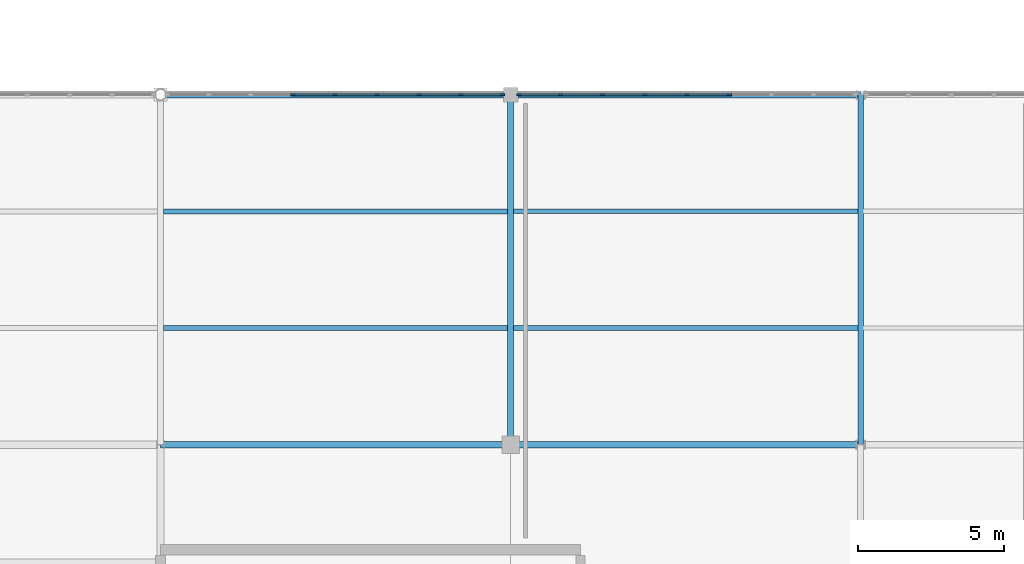
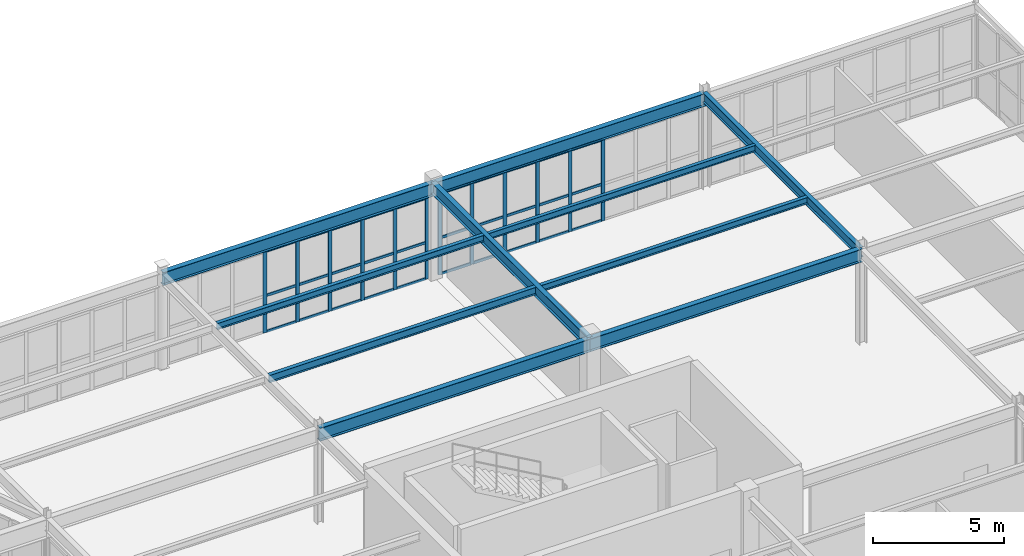
# One storey, part 95 of 186: 42 members, 10 beams, 2 elements without a shape of their own.
"""IFC4 building model written with IfcOpenShell, lengths in metres."""

from ifc_helpers import new_model, si_unit, direction, frame, origin, origin_2d, place, context, subcontext, project, spatial, rectangle, i_section, extrude, material, layer, layer_set, material_profile, profile_set, type_object, element, aggregate, save


model = new_model("IFC4")

# Units and contexts
model_context = context("Model", 3, precision=1e-05, world=origin(), true_north=direction((0.0, 1.0)))
body_context = subcontext(model_context, "Body", "Model", "MODEL_VIEW")
ifc_project = project(units=[si_unit("LENGTHUNIT", "METRE"), si_unit("AREAUNIT", "SQUARE_METRE"), si_unit("VOLUMEUNIT", "CUBIC_METRE"), si_unit("PLANEANGLEUNIT", "RADIAN"), si_unit("MASSUNIT", "GRAM", prefix="KILO")], contexts=[model_context])

# Site, building, storey
site_placement = place(None, origin())
site = spatial("IfcSite", under=ifc_project, at=site_placement, CompositionType="ELEMENT")
building_placement = place(site_placement, origin())
building = spatial("IfcBuilding", under=site, at=building_placement, Name="Tarnwether General Hospital", CompositionType="ELEMENT")
storey_placement = place(building_placement, frame((0.0, 0.0, 9.60009765625)))
storey = spatial("IfcBuildingStorey", under=building, at=storey_placement, Name="L02", CompositionType="ELEMENT", Elevation=9.60009765625)

# Beams
ifc_material_1 = material(Name="Steel Grade 350 (350 MPa)", Category="steel")
ifc_material_profile_1 = material_profile(ifc_material_1, i_section(OverallWidth=0.22900390625, OverallDepth=0.612060546875, WebThickness=0.011962890625, FlangeThickness=0.01953125, at=origin_2d()), Name="610UB125")
ifc_profile_set_1 = profile_set([ifc_material_profile_1], Name="Steel Grade 350 (350 MPa)")
beam_type_1 = type_object("IfcBeamType", Name="BM-G03", PredefinedType="BEAM", material=ifc_profile_set_1)
beam_1_placement = place(storey_placement, frame((156.0, 33.60009765625, 4.138916015625), z_axis=(1.0, 0.0, 0.0), x_axis=(0.0, 1.0, 0.0)))
element("IfcBeam", 1, at=beam_1_placement, inside=storey, type_object=beam_type_1, Name="Primary Girder BMG-L02-15600_3360-16800_3360-1594", PredefinedType="BEAM", context=body_context, shape_type="SweptSolid", body=[
    extrude(i_section(OverallWidth=0.22900390625, OverallDepth=0.612060546875, WebThickness=0.011962890625, FlangeThickness=0.01953125, at=origin_2d()), origin(), (0.0, 0.0, 1.0), 12.0),
])
ifc_material_2 = material(Name="Steel Grade 350 (350 MPa)", Category="steel")
ifc_material_profile_2 = material_profile(ifc_material_2, i_section(OverallWidth=0.22802734375, OverallDepth=0.60693359375, WebThickness=0.01123046875, FlangeThickness=0.017333984375, at=origin_2d()), Name="610UB113")
ifc_profile_set_2 = profile_set([ifc_material_profile_2], Name="Steel Grade 350 (350 MPa)")
beam_type_2 = type_object("IfcBeamType", Name="BM-G04", PredefinedType="BEAM", material=ifc_profile_set_2)
for number, where, z_axis, x_axis, name in (
    (2, (156.0, 45.60009765625, 4.141357421875), (1.0, 0.0, 0.0), (0.0, 1.0, 0.0), "Primary Girder BMG-L02-15600_4560-16800_4560-1596"),
    (3, (168.0, 33.60009765625, 4.136474609375), (1.0, 0.0, 0.0), (0.0, 1.0, 0.0), "Primary Girder BMG-L02-16800_3360-18000_3360-1611"),
):
    element("IfcBeam", number, at=place(storey_placement, frame(where, z_axis=z_axis, x_axis=x_axis)), inside=storey, type_object=beam_type_2, Name=name, PredefinedType="BEAM", context=body_context, shape_type="SweptSolid", body=[
        extrude(i_section(OverallWidth=0.22802734375, OverallDepth=0.60693359375, WebThickness=0.01123046875, FlangeThickness=0.017333984375, at=origin_2d()), origin(), (0.0, 0.0, 1.0), 12.0),
    ])
ifc_material_3 = material(Name="Steel Grade 350 (350 MPa)", Category="steel")
ifc_material_profile_3 = material_profile(ifc_material_3, i_section(OverallWidth=0.22802734375, OverallDepth=0.60205078125, WebThickness=0.010498046875, FlangeThickness=0.014892578125, at=origin_2d()), Name="610UB101")
ifc_profile_set_3 = profile_set([ifc_material_profile_3], Name="Steel Grade 350 (350 MPa)")
beam_type_3 = type_object("IfcBeamType", Name="BM-G05", PredefinedType="BEAM", material=ifc_profile_set_3)
beam_2_placement = place(storey_placement, frame((168.0, 45.60009765625, 4.138916015625), z_axis=(1.0, 0.0, 0.0), x_axis=(0.0, 1.0, 0.0)))
element("IfcBeam", 4, at=beam_2_placement, inside=storey, type_object=beam_type_3, Name="Primary Girder BMG-L02-16800_4560-18000_4560-1613", PredefinedType="BEAM", context=body_context, shape_type="SweptSolid", body=[
    extrude(i_section(OverallWidth=0.22802734375, OverallDepth=0.60205078125, WebThickness=0.010498046875, FlangeThickness=0.014892578125, at=origin_2d()), origin(), (0.0, 0.0, 1.0), 12.0),
])
ifc_material_4 = material(Name="Steel Grade 350 (350 MPa)", Category="steel")
ifc_material_profile_4 = material_profile(ifc_material_4, i_section(OverallWidth=0.208984375, OverallDepth=0.528076171875, WebThickness=0.009521484375, FlangeThickness=0.01318359375, at=origin_2d()), Name="530UB82.0")
ifc_profile_set_4 = profile_set([ifc_material_profile_4], Name="Steel Grade 350 (350 MPa)")
beam_type_4 = type_object("IfcBeamType", Name="BM-G07", PredefinedType="BEAM", material=ifc_profile_set_4)
beam_3_placement = place(storey_placement, frame((168.0, 33.60009765625, 4.180908203125), z_axis=(0.0, 1.0, 0.0), x_axis=(-1.0, 0.0, 0.0)))
element("IfcBeam", 5, at=beam_3_placement, inside=storey, type_object=beam_type_4, Name="Primary Girder BMG-L02-16800_3360-16800_4560-1612", PredefinedType="BEAM", context=body_context, shape_type="SweptSolid", body=[
    extrude(i_section(OverallWidth=0.208984375, OverallDepth=0.528076171875, WebThickness=0.009521484375, FlangeThickness=0.01318359375, at=origin_2d()), origin(), (0.0, 0.0, 1.0), 12.0),
])
ifc_material_5 = material(Name="Steel Grade 350 (350 MPa)", Category="steel")
ifc_material_profile_5 = material_profile(ifc_material_5, i_section(OverallWidth=0.19091796875, OverallDepth=0.4599609375, WebThickness=0.010009765625, FlangeThickness=0.01611328125, at=origin_2d()), Name="460UB82.1")
ifc_profile_set_5 = profile_set([ifc_material_profile_5], Name="Steel Grade 350 (350 MPa)")
beam_type_5 = type_object("IfcBeamType", Name="BM-G08", PredefinedType="BEAM", material=ifc_profile_set_5)
beam_4_placement = place(storey_placement, frame((180.0, 33.60009765625, 4.2099609375), z_axis=(0.0, 1.0, 0.0), x_axis=(-1.0, 0.0, 0.0)))
element("IfcBeam", 6, at=beam_4_placement, inside=storey, type_object=beam_type_5, Name="Primary Girder BMG-L02-18000_3360-18000_4560-1629", PredefinedType="BEAM", context=body_context, shape_type="SweptSolid", body=[
    extrude(i_section(OverallWidth=0.19091796875, OverallDepth=0.4599609375, WebThickness=0.010009765625, FlangeThickness=0.01611328125, at=origin_2d()), origin(), (0.0, 0.0, 1.0), 12.0),
])
ifc_material_6 = material(Name="Steel Grade 350 (350 MPa)", Category="steel")
ifc_material_profile_6 = material_profile(ifc_material_6, i_section(OverallWidth=0.1708984375, OverallDepth=0.35205078125, WebThickness=0.0068359375, FlangeThickness=0.009765625, at=origin_2d()), Name="360UB44.7")
ifc_profile_set_6 = profile_set([ifc_material_profile_6], Name="Steel Grade 350 (350 MPa)")
beam_type_6 = type_object("IfcBeamType", Name="BM-J06", PredefinedType="JOIST", material=ifc_profile_set_6)
beam_5_placement = place(storey_placement, frame((156.09912109375, 37.60009765625, 4.268798828125), z_axis=(1.0, 0.0, 0.0), x_axis=(0.0, 1.0, 0.0)))
element("IfcBeam", 7, at=beam_5_placement, inside=storey, type_object=beam_type_6, Name="Composite Floor Joist BMG-L02-15610_3760-16790_3760-1724", PredefinedType="JOIST", context=body_context, shape_type="SweptSolid", body=[
    extrude(i_section(OverallWidth=0.1708984375, OverallDepth=0.35205078125, WebThickness=0.0068359375, FlangeThickness=0.009765625, at=origin_2d()), origin(), (0.0, 0.0, 1.0), 11.8017578125),
])
ifc_material_7 = material(Name="Steel Grade 350 (350 MPa)", Category="steel")
ifc_material_profile_7 = material_profile(ifc_material_7, i_section(OverallWidth=0.1650390625, OverallDepth=0.303955078125, WebThickness=0.006103515625, FlangeThickness=0.01025390625, at=origin_2d()), Name="310UB40.4")
ifc_profile_set_7 = profile_set([ifc_material_profile_7], Name="Steel Grade 350 (350 MPa)")
beam_type_7 = type_object("IfcBeamType", Name="BM-J07", PredefinedType="JOIST", material=ifc_profile_set_7)
beam_6_placement = place(storey_placement, frame((156.09912109375, 41.60009765625, 4.29296875), z_axis=(1.0, 0.0, 0.0), x_axis=(0.0, 1.0, 0.0)))
element("IfcBeam", 8, at=beam_6_placement, inside=storey, type_object=beam_type_7, Name="Composite Floor Joist BMG-L02-15610_4160-16790_4160-1725", PredefinedType="JOIST", context=body_context, shape_type="SweptSolid", body=[
    extrude(i_section(OverallWidth=0.1650390625, OverallDepth=0.303955078125, WebThickness=0.006103515625, FlangeThickness=0.01025390625, at=origin_2d()), origin(), (0.0, 0.0, 1.0), 11.8017578125),
])
beam_7_placement = place(storey_placement, frame((168.09912109375, 37.60009765625, 4.287841796875), z_axis=(1.0, 0.0, 0.0), x_axis=(0.0, 1.0, 0.0)))
element("IfcBeam", 9, at=beam_7_placement, inside=storey, type_object=beam_type_7, Name="Composite Floor Joist BMG-L02-16810_3760-17991_3760-1734", PredefinedType="JOIST", context=body_context, shape_type="SweptSolid", body=[
    extrude(i_section(OverallWidth=0.1650390625, OverallDepth=0.303955078125, WebThickness=0.006103515625, FlangeThickness=0.01025390625, at=origin_2d()), origin(), (0.0, 0.0, 1.0), 11.811767578125),
])
ifc_material_8 = material(Name="Steel Grade 350 (350 MPa)", Category="steel")
ifc_material_profile_8 = material_profile(ifc_material_8, i_section(OverallWidth=0.14892578125, OverallDepth=0.298095703125, WebThickness=0.005615234375, FlangeThickness=0.008056640625, at=origin_2d()), Name="310UB32.0")
ifc_profile_set_8 = profile_set([ifc_material_profile_8], Name="Steel Grade 350 (350 MPa)")
beam_type_8 = type_object("IfcBeamType", Name="BM-J08", PredefinedType="JOIST", material=ifc_profile_set_8)
beam_8_placement = place(storey_placement, frame((168.09912109375, 41.60009765625, 4.291015625), z_axis=(1.0, 0.0, 0.0), x_axis=(0.0, 1.0, 0.0)))
element("IfcBeam", 10, at=beam_8_placement, inside=storey, type_object=beam_type_8, Name="Composite Floor Joist BMG-L02-16810_4160-17991_4160-1735", PredefinedType="JOIST", context=body_context, shape_type="SweptSolid", body=[
    extrude(i_section(OverallWidth=0.14892578125, OverallDepth=0.298095703125, WebThickness=0.005615234375, FlangeThickness=0.008056640625, at=origin_2d()), origin(), (0.0, 0.0, 1.0), 11.811767578125),
])

# Curtain wall, members
ifc_material_9 = material(Name="Anodised aluminium", Category="aluminium")
ifc_layer = layer(ifc_material_9, 0.159912109375)
ifc_layer_set = layer_set([ifc_layer], Name="Anodised aluminium")
curtain_wall_type = type_object("IfcCurtainWallType", Name="CW-18", PredefinedType="NOTDEFINED", material=ifc_layer_set)
curtain_wall_1_placement = place(storey_placement, origin())
curtain_wall_1 = element("IfcCurtainWall", 11, at=curtain_wall_1_placement, inside=storey, type_object=curtain_wall_type, Name="Curtain Wall CWG-L02-1562_456-0453", PredefinedType="NOTDEFINED")
ifc_material_10 = material(Name="Anodised aluminium", Category="aluminium")
ifc_material_profile_9 = material_profile(ifc_material_10, rectangle(XDim=0.06005859375, YDim=0.159912109375, at=origin_2d()), Name="ALU-MUL-60x160")
ifc_profile_set_9 = profile_set([ifc_material_profile_9], Name="Anodised aluminium")
member_type_1 = type_object("IfcMemberType", Name="CW-ML1", PredefinedType="MULLION", material=ifc_profile_set_9)
member_1_placement = place(storey_placement, frame((160.53515625, 45.60009765625, 0.0), z_axis=(0.0, 0.0, 1.0), x_axis=(0.0, 1.0, 0.0)))
member_1 = element("IfcMember", 12, at=member_1_placement, type_object=member_type_1, Name="CW-18 mullion 4", PredefinedType="MULLION", context=body_context, shape_type="SweptSolid", body=[
    extrude(rectangle(XDim=0.06005859375, YDim=0.159912109375, at=origin_2d()), origin(), (0.0, 0.0, 1.0), 3.81787109375),
])
member_2_placement = place(storey_placement, frame((161.9765625, 45.60009765625, 0.0), z_axis=(0.0, 0.0, 1.0), x_axis=(0.0, 1.0, 0.0)))
member_2 = element("IfcMember", 13, at=member_2_placement, type_object=member_type_1, Name="CW-18 mullion 5", PredefinedType="MULLION", context=body_context, shape_type="SweptSolid", body=[
    extrude(rectangle(XDim=0.06005859375, YDim=0.159912109375, at=origin_2d()), origin(), (0.0, 0.0, 1.0), 3.81787109375),
])
member_3_placement = place(storey_placement, frame((163.41796875, 45.60009765625, 0.0), z_axis=(0.0, 0.0, 1.0), x_axis=(0.0, 1.0, 0.0)))
member_3 = element("IfcMember", 14, at=member_3_placement, type_object=member_type_1, Name="CW-18 mullion 6", PredefinedType="MULLION", context=body_context, shape_type="SweptSolid", body=[
    extrude(rectangle(XDim=0.06005859375, YDim=0.159912109375, at=origin_2d()), origin(), (0.0, 0.0, 1.0), 3.81787109375),
])
member_4_placement = place(storey_placement, frame((164.859130859375, 45.60009765625, 0.0), z_axis=(0.0, 0.0, 1.0), x_axis=(0.0, 1.0, 0.0)))
member_4 = element("IfcMember", 15, at=member_4_placement, type_object=member_type_1, Name="CW-18 mullion 7", PredefinedType="MULLION", context=body_context, shape_type="SweptSolid", body=[
    extrude(rectangle(XDim=0.06005859375, YDim=0.159912109375, at=origin_2d()), origin(), (0.0, 0.0, 1.0), 3.81787109375),
])
member_5_placement = place(storey_placement, frame((166.300537109375, 45.60009765625, 0.0), z_axis=(0.0, 0.0, 1.0), x_axis=(0.0, 1.0, 0.0)))
member_5 = element("IfcMember", 16, at=member_5_placement, type_object=member_type_1, Name="CW-18 mullion 8", PredefinedType="MULLION", context=body_context, shape_type="SweptSolid", body=[
    extrude(rectangle(XDim=0.06005859375, YDim=0.159912109375, at=origin_2d()), origin(), (0.0, 0.0, 1.0), 3.81787109375),
])
member_6_placement = place(storey_placement, frame((167.7119140625, 45.60009765625, 0.0), z_axis=(0.0, 0.0, 1.0), x_axis=(0.0, 1.0, 0.0)))
member_6 = element("IfcMember", 17, at=member_6_placement, type_object=member_type_1, Name="CW-18 mullion 9", PredefinedType="MULLION", context=body_context, shape_type="SweptSolid", body=[
    extrude(rectangle(XDim=0.06005859375, YDim=0.159912109375, at=origin_2d()), origin(), (0.0, 0.0, 1.0), 3.81787109375),
])

curtain_wall_2_placement = place(storey_placement, origin())
curtain_wall_2 = element("IfcCurtainWall", 18, at=curtain_wall_2_placement, inside=storey, type_object=curtain_wall_type, Name="Curtain Wall CWG-L02-1683_456-0454", PredefinedType="NOTDEFINED")
member_7_placement = place(storey_placement, frame((168.2880859375, 45.60009765625, 0.0), z_axis=(0.0, 0.0, 1.0), x_axis=(0.0, 1.0, 0.0)))
member_7 = element("IfcMember", 19, at=member_7_placement, type_object=member_type_1, Name="CW-18 mullion 1", PredefinedType="MULLION", context=body_context, shape_type="SweptSolid", body=[
    extrude(rectangle(XDim=0.06005859375, YDim=0.159912109375, at=origin_2d()), origin(), (0.0, 0.0, 1.0), 3.822998046875),
])
member_8_placement = place(storey_placement, frame((169.705078125, 45.60009765625, 0.0), z_axis=(0.0, 0.0, 1.0), x_axis=(0.0, 1.0, 0.0)))
member_8 = element("IfcMember", 20, at=member_8_placement, type_object=member_type_1, Name="CW-18 mullion 2", PredefinedType="MULLION", context=body_context, shape_type="SweptSolid", body=[
    extrude(rectangle(XDim=0.06005859375, YDim=0.159912109375, at=origin_2d()), origin(), (0.0, 0.0, 1.0), 3.822998046875),
])
member_9_placement = place(storey_placement, frame((171.152099609375, 45.60009765625, 0.0), z_axis=(0.0, 0.0, 1.0), x_axis=(0.0, 1.0, 0.0)))
member_9 = element("IfcMember", 21, at=member_9_placement, type_object=member_type_1, Name="CW-18 mullion 3", PredefinedType="MULLION", context=body_context, shape_type="SweptSolid", body=[
    extrude(rectangle(XDim=0.06005859375, YDim=0.159912109375, at=origin_2d()), origin(), (0.0, 0.0, 1.0), 3.822998046875),
])
member_10_placement = place(storey_placement, frame((172.59912109375, 45.60009765625, 0.0), z_axis=(0.0, 0.0, 1.0), x_axis=(0.0, 1.0, 0.0)))
member_10 = element("IfcMember", 22, at=member_10_placement, type_object=member_type_1, Name="CW-18 mullion 4", PredefinedType="MULLION", context=body_context, shape_type="SweptSolid", body=[
    extrude(rectangle(XDim=0.06005859375, YDim=0.159912109375, at=origin_2d()), origin(), (0.0, 0.0, 1.0), 3.822998046875),
])
member_11_placement = place(storey_placement, frame((174.0458984375, 45.60009765625, 0.0), z_axis=(0.0, 0.0, 1.0), x_axis=(0.0, 1.0, 0.0)))
member_11 = element("IfcMember", 23, at=member_11_placement, type_object=member_type_1, Name="CW-18 mullion 5", PredefinedType="MULLION", context=body_context, shape_type="SweptSolid", body=[
    extrude(rectangle(XDim=0.06005859375, YDim=0.159912109375, at=origin_2d()), origin(), (0.0, 0.0, 1.0), 3.822998046875),
])
member_12_placement = place(storey_placement, frame((175.492919921875, 45.60009765625, 0.0), z_axis=(0.0, 0.0, 1.0), x_axis=(0.0, 1.0, 0.0)))
member_12 = element("IfcMember", 24, at=member_12_placement, type_object=member_type_1, Name="CW-18 mullion 6", PredefinedType="MULLION", context=body_context, shape_type="SweptSolid", body=[
    extrude(rectangle(XDim=0.06005859375, YDim=0.159912109375, at=origin_2d()), origin(), (0.0, 0.0, 1.0), 3.822998046875),
])

# Member
ifc_material_11 = material(Name="Anodised aluminium", Category="aluminium")
ifc_material_profile_10 = material_profile(ifc_material_11, rectangle(XDim=0.06005859375, YDim=0.1201171875, at=origin_2d()), Name="ALU-TRN-60x120")
ifc_profile_set_10 = profile_set([ifc_material_profile_10], Name="Anodised aluminium")
member_type_2 = type_object("IfcMemberType", Name="CW-TR1", PredefinedType="USERDEFINED", material=ifc_profile_set_10)
member_13_placement = place(storey_placement, frame((160.565185546875, 45.60009765625, 0.02978515625), z_axis=(1.0, 0.0, 0.0), x_axis=(0.0, 1.0, 0.0)))
member_13 = element("IfcMember", 25, at=member_13_placement, type_object=member_type_2, Name="CW-18 transom 4.1", ObjectType="TRANSOM", PredefinedType="USERDEFINED", context=body_context, shape_type="SweptSolid", body=[
    extrude(rectangle(XDim=0.06005859375, YDim=0.1201171875, at=origin_2d()), origin(), (0.0, 0.0, 1.0), 1.38134765625),
])

member_14_placement = place(storey_placement, frame((160.565185546875, 45.60009765625, 1.718017578125), z_axis=(1.0, 0.0, 0.0), x_axis=(0.0, 1.0, 0.0)))
member_14 = element("IfcMember", 26, at=member_14_placement, type_object=member_type_2, Name="CW-18 transom 4.2", ObjectType="TRANSOM", PredefinedType="USERDEFINED", context=body_context, shape_type="SweptSolid", body=[
    extrude(rectangle(XDim=0.06005859375, YDim=0.1201171875, at=origin_2d()), origin(), (0.0, 0.0, 1.0), 1.38134765625),
])

member_15_placement = place(storey_placement, frame((160.565185546875, 45.60009765625, 3.787841796875), z_axis=(1.0, 0.0, 0.0), x_axis=(0.0, 1.0, 0.0)))
member_15 = element("IfcMember", 27, at=member_15_placement, type_object=member_type_2, Name="CW-18 transom 4.3", ObjectType="TRANSOM", PredefinedType="USERDEFINED", context=body_context, shape_type="SweptSolid", body=[
    extrude(rectangle(XDim=0.06005859375, YDim=0.1201171875, at=origin_2d()), origin(), (0.0, 0.0, 1.0), 1.38134765625),
])

member_16_placement = place(storey_placement, frame((162.006591796875, 45.60009765625, 0.02978515625), z_axis=(1.0, 0.0, 0.0), x_axis=(0.0, 1.0, 0.0)))
member_16 = element("IfcMember", 28, at=member_16_placement, type_object=member_type_2, Name="CW-18 transom 5.1", ObjectType="TRANSOM", PredefinedType="USERDEFINED", context=body_context, shape_type="SweptSolid", body=[
    extrude(rectangle(XDim=0.06005859375, YDim=0.1201171875, at=origin_2d()), origin(), (0.0, 0.0, 1.0), 1.38134765625),
])

member_17_placement = place(storey_placement, frame((162.006591796875, 45.60009765625, 1.718017578125), z_axis=(1.0, 0.0, 0.0), x_axis=(0.0, 1.0, 0.0)))
member_17 = element("IfcMember", 29, at=member_17_placement, type_object=member_type_2, Name="CW-18 transom 5.2", ObjectType="TRANSOM", PredefinedType="USERDEFINED", context=body_context, shape_type="SweptSolid", body=[
    extrude(rectangle(XDim=0.06005859375, YDim=0.1201171875, at=origin_2d()), origin(), (0.0, 0.0, 1.0), 1.38134765625),
])

member_18_placement = place(storey_placement, frame((162.006591796875, 45.60009765625, 3.787841796875), z_axis=(1.0, 0.0, 0.0), x_axis=(0.0, 1.0, 0.0)))
member_18 = element("IfcMember", 30, at=member_18_placement, type_object=member_type_2, Name="CW-18 transom 5.3", ObjectType="TRANSOM", PredefinedType="USERDEFINED", context=body_context, shape_type="SweptSolid", body=[
    extrude(rectangle(XDim=0.06005859375, YDim=0.1201171875, at=origin_2d()), origin(), (0.0, 0.0, 1.0), 1.38134765625),
])

member_19_placement = place(storey_placement, frame((163.44775390625, 45.60009765625, 0.02978515625), z_axis=(1.0, 0.0, 0.0), x_axis=(0.0, 1.0, 0.0)))
member_19 = element("IfcMember", 31, at=member_19_placement, type_object=member_type_2, Name="CW-18 transom 6.1", ObjectType="TRANSOM", PredefinedType="USERDEFINED", context=body_context, shape_type="SweptSolid", body=[
    extrude(rectangle(XDim=0.06005859375, YDim=0.1201171875, at=origin_2d()), origin(), (0.0, 0.0, 1.0), 1.381591796875),
])

member_20_placement = place(storey_placement, frame((163.44775390625, 45.60009765625, 1.718017578125), z_axis=(1.0, 0.0, 0.0), x_axis=(0.0, 1.0, 0.0)))
member_20 = element("IfcMember", 32, at=member_20_placement, type_object=member_type_2, Name="CW-18 transom 6.2", ObjectType="TRANSOM", PredefinedType="USERDEFINED", context=body_context, shape_type="SweptSolid", body=[
    extrude(rectangle(XDim=0.06005859375, YDim=0.1201171875, at=origin_2d()), origin(), (0.0, 0.0, 1.0), 1.381591796875),
])

member_21_placement = place(storey_placement, frame((163.44775390625, 45.60009765625, 3.787841796875), z_axis=(1.0, 0.0, 0.0), x_axis=(0.0, 1.0, 0.0)))
member_21 = element("IfcMember", 33, at=member_21_placement, type_object=member_type_2, Name="CW-18 transom 6.3", ObjectType="TRANSOM", PredefinedType="USERDEFINED", context=body_context, shape_type="SweptSolid", body=[
    extrude(rectangle(XDim=0.06005859375, YDim=0.1201171875, at=origin_2d()), origin(), (0.0, 0.0, 1.0), 1.381591796875),
])

member_22_placement = place(storey_placement, frame((164.88916015625, 45.60009765625, 0.02978515625), z_axis=(1.0, 0.0, 0.0), x_axis=(0.0, 1.0, 0.0)))
member_22 = element("IfcMember", 34, at=member_22_placement, type_object=member_type_2, Name="CW-18 transom 7.1", ObjectType="TRANSOM", PredefinedType="USERDEFINED", context=body_context, shape_type="SweptSolid", body=[
    extrude(rectangle(XDim=0.06005859375, YDim=0.1201171875, at=origin_2d()), origin(), (0.0, 0.0, 1.0), 1.38134765625),
])

member_23_placement = place(storey_placement, frame((164.88916015625, 45.60009765625, 1.718017578125), z_axis=(1.0, 0.0, 0.0), x_axis=(0.0, 1.0, 0.0)))
member_23 = element("IfcMember", 35, at=member_23_placement, type_object=member_type_2, Name="CW-18 transom 7.2", ObjectType="TRANSOM", PredefinedType="USERDEFINED", context=body_context, shape_type="SweptSolid", body=[
    extrude(rectangle(XDim=0.06005859375, YDim=0.1201171875, at=origin_2d()), origin(), (0.0, 0.0, 1.0), 1.38134765625),
])

member_24_placement = place(storey_placement, frame((164.88916015625, 45.60009765625, 3.787841796875), z_axis=(1.0, 0.0, 0.0), x_axis=(0.0, 1.0, 0.0)))
member_24 = element("IfcMember", 36, at=member_24_placement, type_object=member_type_2, Name="CW-18 transom 7.3", ObjectType="TRANSOM", PredefinedType="USERDEFINED", context=body_context, shape_type="SweptSolid", body=[
    extrude(rectangle(XDim=0.06005859375, YDim=0.1201171875, at=origin_2d()), origin(), (0.0, 0.0, 1.0), 1.38134765625),
])

member_25_placement = place(storey_placement, frame((166.33056640625, 45.60009765625, 0.02978515625), z_axis=(1.0, 0.0, 0.0), x_axis=(0.0, 1.0, 0.0)))
member_25 = element("IfcMember", 37, at=member_25_placement, type_object=member_type_2, Name="CW-18 transom 8.1", ObjectType="TRANSOM", PredefinedType="USERDEFINED", context=body_context, shape_type="SweptSolid", body=[
    extrude(rectangle(XDim=0.06005859375, YDim=0.1201171875, at=origin_2d()), origin(), (0.0, 0.0, 1.0), 1.351318359375),
])

member_26_placement = place(storey_placement, frame((166.33056640625, 45.60009765625, 1.718017578125), z_axis=(1.0, 0.0, 0.0), x_axis=(0.0, 1.0, 0.0)))
member_26 = element("IfcMember", 38, at=member_26_placement, type_object=member_type_2, Name="CW-18 transom 8.2", ObjectType="TRANSOM", PredefinedType="USERDEFINED", context=body_context, shape_type="SweptSolid", body=[
    extrude(rectangle(XDim=0.06005859375, YDim=0.1201171875, at=origin_2d()), origin(), (0.0, 0.0, 1.0), 1.351318359375),
])

member_27_placement = place(storey_placement, frame((166.33056640625, 45.60009765625, 3.787841796875), z_axis=(1.0, 0.0, 0.0), x_axis=(0.0, 1.0, 0.0)))
member_27 = element("IfcMember", 39, at=member_27_placement, type_object=member_type_2, Name="CW-18 transom 8.3", ObjectType="TRANSOM", PredefinedType="USERDEFINED", context=body_context, shape_type="SweptSolid", body=[
    extrude(rectangle(XDim=0.06005859375, YDim=0.1201171875, at=origin_2d()), origin(), (0.0, 0.0, 1.0), 1.351318359375),
])

aggregate(curtain_wall_1, [member_1, member_2, member_3, member_4, member_5, member_6, member_13, member_14, member_15, member_16, member_17, member_18, member_19, member_20, member_21, member_22, member_23, member_24, member_25, member_26, member_27])

member_28_placement = place(storey_placement, frame((168.318115234375, 45.60009765625, 0.02978515625), z_axis=(1.0, 0.0, 0.0), x_axis=(0.0, 1.0, 0.0)))
member_28 = element("IfcMember", 40, at=member_28_placement, type_object=member_type_2, Name="CW-18 transom 1.1", ObjectType="TRANSOM", PredefinedType="USERDEFINED", context=body_context, shape_type="SweptSolid", body=[
    extrude(rectangle(XDim=0.06005859375, YDim=0.1201171875, at=origin_2d()), origin(), (0.0, 0.0, 1.0), 1.35693359375),
])

member_29_placement = place(storey_placement, frame((168.318115234375, 45.60009765625, 1.72021484375), z_axis=(1.0, 0.0, 0.0), x_axis=(0.0, 1.0, 0.0)))
member_29 = element("IfcMember", 41, at=member_29_placement, type_object=member_type_2, Name="CW-18 transom 1.2", ObjectType="TRANSOM", PredefinedType="USERDEFINED", context=body_context, shape_type="SweptSolid", body=[
    extrude(rectangle(XDim=0.06005859375, YDim=0.1201171875, at=origin_2d()), origin(), (0.0, 0.0, 1.0), 1.35693359375),
])

member_30_placement = place(storey_placement, frame((168.318115234375, 45.60009765625, 3.79296875), z_axis=(1.0, 0.0, 0.0), x_axis=(0.0, 1.0, 0.0)))
member_30 = element("IfcMember", 42, at=member_30_placement, type_object=member_type_2, Name="CW-18 transom 1.3", ObjectType="TRANSOM", PredefinedType="USERDEFINED", context=body_context, shape_type="SweptSolid", body=[
    extrude(rectangle(XDim=0.06005859375, YDim=0.1201171875, at=origin_2d()), origin(), (0.0, 0.0, 1.0), 1.35693359375),
])

member_31_placement = place(storey_placement, frame((169.735107421875, 45.60009765625, 0.02978515625), z_axis=(1.0, 0.0, 0.0), x_axis=(0.0, 1.0, 0.0)))
member_31 = element("IfcMember", 43, at=member_31_placement, type_object=member_type_2, Name="CW-18 transom 2.1", ObjectType="TRANSOM", PredefinedType="USERDEFINED", context=body_context, shape_type="SweptSolid", body=[
    extrude(rectangle(XDim=0.06005859375, YDim=0.1201171875, at=origin_2d()), origin(), (0.0, 0.0, 1.0), 1.386962890625),
])

member_32_placement = place(storey_placement, frame((169.735107421875, 45.60009765625, 1.72021484375), z_axis=(1.0, 0.0, 0.0), x_axis=(0.0, 1.0, 0.0)))
member_32 = element("IfcMember", 44, at=member_32_placement, type_object=member_type_2, Name="CW-18 transom 2.2", ObjectType="TRANSOM", PredefinedType="USERDEFINED", context=body_context, shape_type="SweptSolid", body=[
    extrude(rectangle(XDim=0.06005859375, YDim=0.1201171875, at=origin_2d()), origin(), (0.0, 0.0, 1.0), 1.386962890625),
])

member_33_placement = place(storey_placement, frame((169.735107421875, 45.60009765625, 3.79296875), z_axis=(1.0, 0.0, 0.0), x_axis=(0.0, 1.0, 0.0)))
member_33 = element("IfcMember", 45, at=member_33_placement, type_object=member_type_2, Name="CW-18 transom 2.3", ObjectType="TRANSOM", PredefinedType="USERDEFINED", context=body_context, shape_type="SweptSolid", body=[
    extrude(rectangle(XDim=0.06005859375, YDim=0.1201171875, at=origin_2d()), origin(), (0.0, 0.0, 1.0), 1.386962890625),
])

member_34_placement = place(storey_placement, frame((171.181884765625, 45.60009765625, 0.02978515625), z_axis=(1.0, 0.0, 0.0), x_axis=(0.0, 1.0, 0.0)))
member_34 = element("IfcMember", 46, at=member_34_placement, type_object=member_type_2, Name="CW-18 transom 3.1", ObjectType="TRANSOM", PredefinedType="USERDEFINED", context=body_context, shape_type="SweptSolid", body=[
    extrude(rectangle(XDim=0.06005859375, YDim=0.1201171875, at=origin_2d()), origin(), (0.0, 0.0, 1.0), 1.38720703125),
])

member_35_placement = place(storey_placement, frame((171.181884765625, 45.60009765625, 1.72021484375), z_axis=(1.0, 0.0, 0.0), x_axis=(0.0, 1.0, 0.0)))
member_35 = element("IfcMember", 47, at=member_35_placement, type_object=member_type_2, Name="CW-18 transom 3.2", ObjectType="TRANSOM", PredefinedType="USERDEFINED", context=body_context, shape_type="SweptSolid", body=[
    extrude(rectangle(XDim=0.06005859375, YDim=0.1201171875, at=origin_2d()), origin(), (0.0, 0.0, 1.0), 1.38720703125),
])

member_36_placement = place(storey_placement, frame((171.181884765625, 45.60009765625, 3.79296875), z_axis=(1.0, 0.0, 0.0), x_axis=(0.0, 1.0, 0.0)))
member_36 = element("IfcMember", 48, at=member_36_placement, type_object=member_type_2, Name="CW-18 transom 3.3", ObjectType="TRANSOM", PredefinedType="USERDEFINED", context=body_context, shape_type="SweptSolid", body=[
    extrude(rectangle(XDim=0.06005859375, YDim=0.1201171875, at=origin_2d()), origin(), (0.0, 0.0, 1.0), 1.38720703125),
])

member_37_placement = place(storey_placement, frame((172.62890625, 45.60009765625, 0.02978515625), z_axis=(1.0, 0.0, 0.0), x_axis=(0.0, 1.0, 0.0)))
member_37 = element("IfcMember", 49, at=member_37_placement, type_object=member_type_2, Name="CW-18 transom 4.1", ObjectType="TRANSOM", PredefinedType="USERDEFINED", context=body_context, shape_type="SweptSolid", body=[
    extrude(rectangle(XDim=0.06005859375, YDim=0.1201171875, at=origin_2d()), origin(), (0.0, 0.0, 1.0), 1.38720703125),
])

member_38_placement = place(storey_placement, frame((172.62890625, 45.60009765625, 1.72021484375), z_axis=(1.0, 0.0, 0.0), x_axis=(0.0, 1.0, 0.0)))
member_38 = element("IfcMember", 50, at=member_38_placement, type_object=member_type_2, Name="CW-18 transom 4.2", ObjectType="TRANSOM", PredefinedType="USERDEFINED", context=body_context, shape_type="SweptSolid", body=[
    extrude(rectangle(XDim=0.06005859375, YDim=0.1201171875, at=origin_2d()), origin(), (0.0, 0.0, 1.0), 1.38720703125),
])

member_39_placement = place(storey_placement, frame((172.62890625, 45.60009765625, 3.79296875), z_axis=(1.0, 0.0, 0.0), x_axis=(0.0, 1.0, 0.0)))
member_39 = element("IfcMember", 51, at=member_39_placement, type_object=member_type_2, Name="CW-18 transom 4.3", ObjectType="TRANSOM", PredefinedType="USERDEFINED", context=body_context, shape_type="SweptSolid", body=[
    extrude(rectangle(XDim=0.06005859375, YDim=0.1201171875, at=origin_2d()), origin(), (0.0, 0.0, 1.0), 1.38720703125),
])

member_40_placement = place(storey_placement, frame((174.075927734375, 45.60009765625, 0.02978515625), z_axis=(1.0, 0.0, 0.0), x_axis=(0.0, 1.0, 0.0)))
member_40 = element("IfcMember", 52, at=member_40_placement, type_object=member_type_2, Name="CW-18 transom 5.1", ObjectType="TRANSOM", PredefinedType="USERDEFINED", context=body_context, shape_type="SweptSolid", body=[
    extrude(rectangle(XDim=0.06005859375, YDim=0.1201171875, at=origin_2d()), origin(), (0.0, 0.0, 1.0), 1.386962890625),
])

member_41_placement = place(storey_placement, frame((174.075927734375, 45.60009765625, 1.72021484375), z_axis=(1.0, 0.0, 0.0), x_axis=(0.0, 1.0, 0.0)))
member_41 = element("IfcMember", 53, at=member_41_placement, type_object=member_type_2, Name="CW-18 transom 5.2", ObjectType="TRANSOM", PredefinedType="USERDEFINED", context=body_context, shape_type="SweptSolid", body=[
    extrude(rectangle(XDim=0.06005859375, YDim=0.1201171875, at=origin_2d()), origin(), (0.0, 0.0, 1.0), 1.386962890625),
])

member_42_placement = place(storey_placement, frame((174.075927734375, 45.60009765625, 3.79296875), z_axis=(1.0, 0.0, 0.0), x_axis=(0.0, 1.0, 0.0)))
member_42 = element("IfcMember", 54, at=member_42_placement, type_object=member_type_2, Name="CW-18 transom 5.3", ObjectType="TRANSOM", PredefinedType="USERDEFINED", context=body_context, shape_type="SweptSolid", body=[
    extrude(rectangle(XDim=0.06005859375, YDim=0.1201171875, at=origin_2d()), origin(), (0.0, 0.0, 1.0), 1.386962890625),
])

aggregate(curtain_wall_2, [member_7, member_8, member_9, member_10, member_11, member_12, member_28, member_29, member_30, member_31, member_32, member_33, member_34, member_35, member_36, member_37, member_38, member_39, member_40, member_41, member_42])

save(model, "model.ifc")
